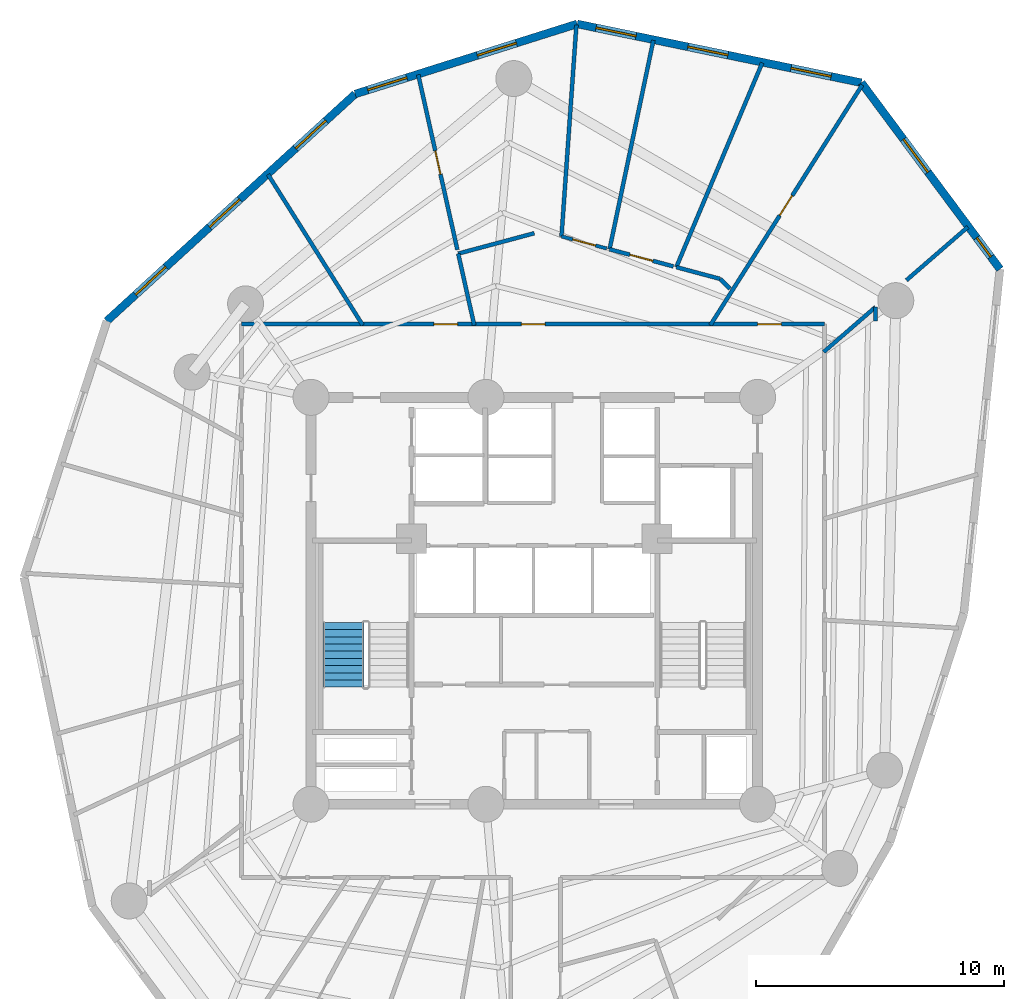
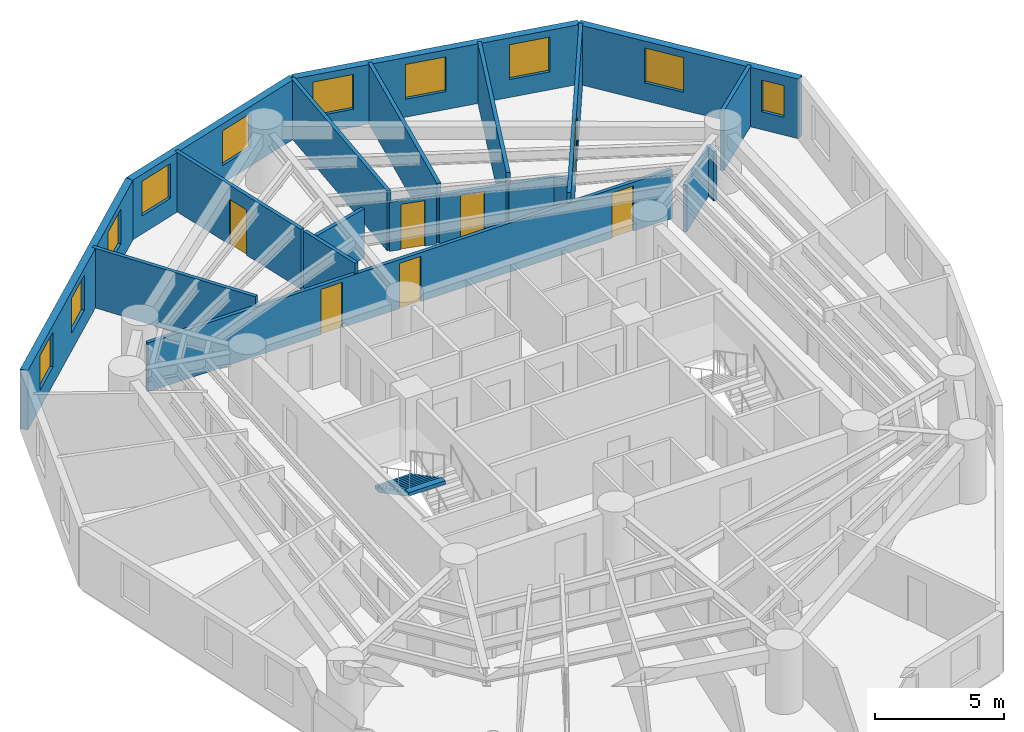
# One storey, part 6 of 8: 20 walls, 10 windows, 7 doors, 1 stair flight, 17 openings, 1 element without a shape of its own.
"""IFC4 building model written with IfcOpenShell, lengths in metres."""

import ifcopenshell
import ifcopenshell.guid

model = None  # the IFC model being written
_history = None  # IfcOwnerHistory: only IFC2X3 demands one
_inside = {}  # id of a spatial element -> (the spatial element, [elements in it])
_under = {}  # id of a project, library or spatial element -> (it, [spatial elements below it])
_declared = {}  # id of a project -> (the project, [libraries it declares])
_typed = {}  # id of a type object -> (the type object, [elements of that type])
_made_of = {}  # id of a material, layer set ... -> (it, [elements and type objects made of it])


def new_model(schema):
    """Start an empty IFC model of exactly this schema.

    Asked for "IFC4X3", IfcOpenShell would pick the latest addendum, in which some entities
    have other attributes; the version numbers below select the first issue.
    IFC2X3 requires an IfcOwnerHistory on every rooted entity: one is made here for all.
    """
    global model, _history
    if schema == "IFC4X3":
        model = ifcopenshell.file(schema_version=(4, 3, 0, 0))
    else:
        model = ifcopenshell.file(schema=schema)
    _inside.clear()
    _under.clear()
    _declared.clear()
    _typed.clear()
    _made_of.clear()
    _history = None
    if model.schema == "IFC2X3":
        org = make("IfcOrganization", Name="unknown")
        user = make(
            "IfcPersonAndOrganization",
            ThePerson=make("IfcPerson", FamilyName="unknown"),
            TheOrganization=org,
        )
        app = make(
            "IfcApplication",
            ApplicationDeveloper=org,
            Version="unknown",
            ApplicationFullName="unknown",
            ApplicationIdentifier="unknown",
        )
        _history = make(
            "IfcOwnerHistory",
            OwningUser=user,
            OwningApplication=app,
            ChangeAction="ADDED",
            CreationDate=0,
        )
    return model


def make(cls, **values):
    """One entity of the class cls with the attributes given. An attribute that is None is left unset."""
    return model.create_entity(
        cls, **{name: value for name, value in values.items() if value is not None}
    )


def rooted(cls, **values):
    """An entity with a GlobalId (a new one), such as an element, a storey or a relation."""
    return make(cls, GlobalId=ifcopenshell.guid.new(), OwnerHistory=_history, **values)


def si_unit(unit_type, name, prefix=None):
    """IfcSIUnit, for example si_unit("LENGTHUNIT", "METRE", prefix="MILLI")."""
    return make("IfcSIUnit", UnitType=unit_type, Prefix=prefix, Name=name)


def assignment(units):
    """IfcUnitAssignment: the units of a project."""
    return None if units is None else make("IfcUnitAssignment", Units=units)


def point(xyz):
    """IfcCartesianPoint."""
    return None if xyz is None else make("IfcCartesianPoint", Coordinates=xyz)


def direction(xyz):
    """IfcDirection."""
    return None if xyz is None else make("IfcDirection", DirectionRatios=xyz)


def frame(location, z_axis=None, x_axis=None):
    """IfcAxis2Placement3D, a coordinate frame: its origin and axes. An axis left out is left unset."""
    return make(
        "IfcAxis2Placement3D",
        Location=point(location),
        Axis=direction(z_axis),
        RefDirection=direction(x_axis),
    )


def frame_2d(location, x_axis=None):
    """IfcAxis2Placement2D, a coordinate frame in the plane: its origin and x axis."""
    return make(
        "IfcAxis2Placement2D", Location=point(location), RefDirection=direction(x_axis)
    )


def origin():
    """The frame at (0, 0, 0) with its axes left unset."""
    return frame((0.0, 0.0, 0.0))


def origin_with_axes():
    """The frame at (0, 0, 0) with the z axis (0, 0, 1) and the x axis (1, 0, 0) written out."""
    return frame((0.0, 0.0, 0.0), z_axis=(0.0, 0.0, 1.0), x_axis=(1.0, 0.0, 0.0))


def place(relative_to, where):
    """IfcLocalPlacement: puts the frame where relative to a parent placement (None: the world)."""
    return make(
        "IfcLocalPlacement", PlacementRelTo=relative_to, RelativePlacement=where
    )


def context(
    kind, dimensions, precision=None, world=None, true_north=None, identifier=None
):
    """IfcGeometricRepresentationContext, for example the 3D "Model" context."""
    return make(
        "IfcGeometricRepresentationContext",
        ContextIdentifier=identifier,
        ContextType=kind,
        CoordinateSpaceDimension=dimensions,
        Precision=precision,
        WorldCoordinateSystem=world,
        TrueNorth=true_north,
    )


def subcontext(parent, identifier, kind, view, scale=None):
    """IfcGeometricRepresentationSubContext, for example "Body" below "Model"."""
    return make(
        "IfcGeometricRepresentationSubContext",
        ContextIdentifier=identifier,
        ContextType=kind,
        ParentContext=parent,
        TargetScale=scale,
        TargetView=view,
    )


def project(units=None, contexts=None):
    """IfcProject with its units and contexts."""
    return rooted(
        "IfcProject",
        Name="project",
        RepresentationContexts=contexts,
        UnitsInContext=assignment(units),
    )


def spatial(cls, under=None, at=None, **own):
    """A site, building, storey or space (cls), placed at a placement, below another one or the project."""
    s = rooted(cls, ObjectPlacement=at, **own)
    if under is not None:
        _under.setdefault(under.id(), (under, []))[1].append(s)
    return s


def polyline(points):
    """IfcPolyline through the points."""
    return make("IfcPolyline", Points=[point(p) for p in points])


def profile(cls, at=None, kind="AREA", **sizes):
    """A parametric profile (cls). Its sizes go by their IFC names, for example OverallWidth=200.0."""
    return make(cls, ProfileType=kind, Position=at, **sizes)


def rectangle(**sizes):
    """IfcRectangleProfileDef."""
    return profile("IfcRectangleProfileDef", **sizes)


def outline(outer, holes=None, kind="AREA"):
    """IfcArbitraryClosedProfileDef: a profile drawn as a closed curve; with holes, ...WithVoids."""
    if holes is None:
        return make("IfcArbitraryClosedProfileDef", ProfileType=kind, OuterCurve=outer)
    return make(
        "IfcArbitraryProfileDefWithVoids",
        ProfileType=kind,
        OuterCurve=outer,
        InnerCurves=holes,
    )


def extrude(swept, where, along, depth):
    """IfcExtrudedAreaSolid: the profile swept, set in the frame where, extruded along a direction by depth."""
    return make(
        "IfcExtrudedAreaSolid",
        SweptArea=swept,
        Position=where,
        ExtrudedDirection=direction(along),
        Depth=depth,
    )


def shape(context_of_items, identifier, shape_type, items):
    """IfcShapeRepresentation: the items that make up one representation, for example the "Body"."""
    return make(
        "IfcShapeRepresentation",
        ContextOfItems=context_of_items,
        RepresentationIdentifier=identifier,
        RepresentationType=shape_type,
        Items=items,
    )


def source(mapping_origin, context_of_items, identifier, shape_type, items):
    """IfcRepresentationMap: a shape defined once, which mapped items show again and again."""
    return make(
        "IfcRepresentationMap",
        MappingOrigin=mapping_origin,
        MappedRepresentation=shape(context_of_items, identifier, shape_type, items),
    )


def transform(
    local_origin,
    x_axis=None,
    y_axis=None,
    z_axis=None,
    scale=None,
    scale2=None,
    scale3=None,
    uniform=True,
):
    """IfcCartesianTransformationOperator3D, or its non-uniform kind. x_axis, y_axis, z_axis: its Axis1, 2, 3."""
    if uniform:
        return make(
            "IfcCartesianTransformationOperator3D",
            Axis1=direction(x_axis),
            Axis2=direction(y_axis),
            LocalOrigin=point(local_origin),
            Scale=scale,
            Axis3=direction(z_axis),
        )
    return make(
        "IfcCartesianTransformationOperator3DnonUniform",
        Axis1=direction(x_axis),
        Axis2=direction(y_axis),
        LocalOrigin=point(local_origin),
        Scale=scale,
        Axis3=direction(z_axis),
        Scale2=scale2,
        Scale3=scale3,
    )


def mapped(mapping_source, mapping_target):
    """IfcMappedItem: shows the shape of a source again, moved by a transform."""
    return make(
        "IfcMappedItem", MappingSource=mapping_source, MappingTarget=mapping_target
    )


def material(Name=None, Category=None):
    """IfcMaterial."""
    return make("IfcMaterial", Name=Name, Category=Category)


def layer(
    of_material, thickness, ventilated=None, Name=None, Category=None, Priority=None
):
    """IfcMaterialLayer: one layer of a wall or slab, of a material (None: an air gap)."""
    return make(
        "IfcMaterialLayer",
        Material=of_material,
        LayerThickness=thickness,
        IsVentilated=ventilated,
        Name=Name,
        Category=Category,
        Priority=Priority,
    )


def layer_set(layers, Name=None):
    """IfcMaterialLayerSet."""
    return make("IfcMaterialLayerSet", MaterialLayers=layers, LayerSetName=Name)


def made_of(thing, what):
    """Note that an element or type object is made of a material, layer set ...; save() writes the relation."""
    if what is not None:
        _made_of.setdefault(what.id(), (what, []))[1].append(thing)
    return thing


def type_object(cls, material=None, **own):
    """A type object (cls), such as IfcWallType, which elements share."""
    return made_of(rooted(cls, **own), material)


def element(
    cls,
    number,
    at=None,
    inside=None,
    cuts=None,
    type_object=None,
    material=None,
    context=None,
    identifier="Body",
    shape_type=None,
    held_by="IfcProductDefinitionShape",
    body=None,
    shapes=None,
    **own,
):
    """One element of the class cls, such as IfcWall. Its Tag is "e" and its number.

    at: its placement. inside: the storey or other place that contains it. cuts: it is an
    opening in that element (IfcRelVoidsElement). A single representation is given by context,
    identifier, shape_type and body (its items); several are given by shapes. held_by: the class
    of the entity that holds the representations. save() writes the other relations.
    """
    e = rooted(cls, Tag="e%d" % number, ObjectPlacement=at, **own)
    if body is not None:
        shapes = [shape(context, identifier, shape_type, body)]
    if shapes is not None:
        e.Representation = make(held_by, Representations=shapes)
    if inside is not None:
        _inside.setdefault(inside.id(), (inside, []))[1].append(e)
    if cuts is not None:
        rooted(
            "IfcRelVoidsElement", RelatingBuildingElement=cuts, RelatedOpeningElement=e
        )
    if type_object is not None:
        _typed.setdefault(type_object.id(), (type_object, []))[1].append(e)
    return made_of(e, material)


def fill(opening, filler):
    """IfcRelFillsElement: the door or window that sits in an opening."""
    return rooted(
        "IfcRelFillsElement",
        RelatingOpeningElement=opening,
        RelatedBuildingElement=filler,
    )


def aggregate(whole, parts):
    """IfcRelAggregates: a whole, such as a stair, and the parts it consists of."""
    return rooted("IfcRelAggregates", RelatingObject=whole, RelatedObjects=parts)


def save(model, path):
    """Write the relations noted so far, then the file.

    IfcRelAggregates (storeys below a building ...), IfcRelContainedInSpatialStructure (elements
    in a storey), IfcRelDefinesByType, IfcRelAssociatesMaterial and IfcRelDeclares: one each for
    every whole, place, type object, material and project.
    """
    for whole, parts in _under.values():
        aggregate(whole, parts)
    for where, things in _inside.values():
        rooted(
            "IfcRelContainedInSpatialStructure",
            RelatedElements=things,
            RelatingStructure=where,
        )
    for kind, things in _typed.values():
        rooted("IfcRelDefinesByType", RelatedObjects=things, RelatingType=kind)
    for what, things in _made_of.values():
        rooted("IfcRelAssociatesMaterial", RelatedObjects=things, RelatingMaterial=what)
    for by, libraries in _declared.values():
        rooted("IfcRelDeclares", RelatingContext=by, RelatedDefinitions=libraries)
    model.write(path)


model = new_model("IFC4")

# Units and contexts
model_context = context("Model", 3, precision=1e-05, world=origin(), true_north=direction((0.0, 1.0)))
body_context = subcontext(model_context, "Body", "Model", "MODEL_VIEW")
ifc_project = project(units=[si_unit("LENGTHUNIT", "METRE"), si_unit("AREAUNIT", "SQUARE_METRE"), si_unit("VOLUMEUNIT", "CUBIC_METRE"), si_unit("PLANEANGLEUNIT", "RADIAN"), si_unit("MASSUNIT", "GRAM", prefix="KILO")], contexts=[model_context])

# Site, building, storey
site_placement = place(None, origin())
site = spatial("IfcSite", under=ifc_project, at=site_placement, CompositionType="ELEMENT")
building_placement = place(site_placement, origin())
building = spatial("IfcBuilding", under=site, at=building_placement, Name="Karkom Vertical University and Central Library", CompositionType="ELEMENT")
storey_placement = place(building_placement, frame((0.0, 0.0, 141.949951171875)))
storey = spatial("IfcBuildingStorey", under=building, at=storey_placement, Name="L40", CompositionType="ELEMENT", Elevation=141.949951171875)

# Wall, openings, windows
ifc_material_1 = material(Name="Brick-faced precast concrete C45/55", Category="masonry")
ifc_layer_1 = layer(ifc_material_1, 0.320068359375)
ifc_layer_set_1 = layer_set([ifc_layer_1], Name="Brick-faced precast concrete C45/55")
wall_type_1 = type_object("IfcWallType", Name="ENV-WL-BRK-320", PredefinedType="SOLIDWALL", material=ifc_layer_set_1)
wall_1_placement = place(storey_placement, frame((47.272216796875, 39.870361328125, 0.0), z_axis=(0.0, 0.0, 1.0), x_axis=(-0.596716111469, 0.802452417476, 0.0)))
wall_1 = element("IfcWall", 1, at=wall_1_placement, inside=storey, type_object=wall_type_1, Name="Level 40 Brick-Faced Precast Facade Wall 09", PredefinedType="SOLIDWALL", context=body_context, shape_type="SweptSolid", body=[
    extrude(rectangle(XDim=9.364013671875, YDim=0.320068359375, at=frame_2d((4.68212890625, 0.0))), origin(), (0.0, 0.0, 1.0), 2.824951171875),
])
opening_1_placement = place(wall_1_placement, frame((0.622314453125, 0.0, 0.85009765625)))
opening_1 = element("IfcOpeningElement", 2, at=opening_1_placement, cuts=wall_1, Name="Opening WN-12", PredefinedType="OPENING", context=body_context, shape_type="SweptSolid", body=[
    extrude(rectangle(XDim=0.949951171875, YDim=1.5, at=frame_2d((0.47509765625, 0.75))), frame((0.0, 0.169921875, 0.0), z_axis=(0.0, -1.0, 0.0), x_axis=(1.0, 0.0, 0.0)), (0.0, 0.0, 1.0), 0.340087890625),
])
opening_2_placement = place(wall_1_placement, frame((4.87158203125, 0.0, 0.85009765625)))
opening_2 = element("IfcOpeningElement", 3, at=opening_2_placement, cuts=wall_1, Name="Opening WN-06", PredefinedType="OPENING", context=body_context, shape_type="SweptSolid", body=[
    extrude(rectangle(XDim=1.64990234375, YDim=1.64990234375, at=frame_2d((0.824951171875, 0.824951171875))), frame((0.0, 0.169921875, 0.0), z_axis=(0.0, -1.0, 0.0), x_axis=(1.0, 0.0, 0.0)), (0.0, 0.0, 1.0), 0.340087890625),
])
ifc_material_2 = material(Name="Aluminium thermal-break frame with solar-control IGU", Category="aluminium")
window_type_1 = type_object("IfcWindowType", Name="ENV-WIN-WN-06", PartitioningType="SINGLE_PANEL", PredefinedType="WINDOW", material=ifc_material_2)
shared_shape_1 = source(origin_with_axes(), body_context, "Body", "SweptSolid", [
    extrude(rectangle(XDim=1.64990234375, YDim=1.64990234375, at=frame_2d((0.824951171875, 0.824951171875))), frame((0.0, 0.030029296875, 0.0), z_axis=(0.0, -1.0, 0.0), x_axis=(1.0, 0.0, 0.0)), (0.0, 0.0, 1.0), 0.06005859375),
])
window_1_placement = place(opening_2_placement, origin())
window_1 = element("IfcWindow", 4, at=window_1_placement, inside=storey, type_object=window_type_1, Name="Level 40 Punched Window 9.2", OverallHeight=1.64990234375, OverallWidth=1.64990234375, PartitioningType="SINGLE_PANEL", PredefinedType="WINDOW", context=body_context, shape_type="MappedRepresentation", body=[
    mapped(shared_shape_1, transform((0.0, 0.0, 0.0), scale=1.0)),
])
fill(opening_2, window_1)
window_type_2 = type_object("IfcWindowType", Name="ENV-WIN-WN-12", PartitioningType="SINGLE_PANEL", PredefinedType="WINDOW", material=ifc_material_2)
shared_shape_2 = source(origin_with_axes(), body_context, "Body", "SweptSolid", [
    extrude(rectangle(XDim=0.949951171875, YDim=1.5, at=frame_2d((0.47509765625, 0.75))), frame((0.0, 0.030029296875, 0.0), z_axis=(0.0, -1.0, 0.0), x_axis=(1.0, 0.0, 0.0)), (0.0, 0.0, 1.0), 0.06005859375),
])
window_2_placement = place(opening_1_placement, origin())
window_2 = element("IfcWindow", 5, at=window_2_placement, inside=storey, type_object=window_type_2, Name="Level 40 Punched Window 9.1", OverallHeight=1.5, OverallWidth=0.949951171875, PartitioningType="SINGLE_PANEL", PredefinedType="WINDOW", context=body_context, shape_type="MappedRepresentation", body=[
    mapped(shared_shape_2, transform((0.0, 0.0, 0.0), scale=1.0)),
])
fill(opening_1, window_2)

wall_2_placement = place(storey_placement, frame((41.6845703125, 47.384521484375, 0.0), z_axis=(0.0, 0.0, 1.0), x_axis=(-0.979267413352, 0.202571797512, 0.0)))
wall_2 = element("IfcWall", 6, at=wall_2_placement, inside=storey, type_object=wall_type_1, Name="Level 40 Brick-Faced Precast Facade Wall 10", PredefinedType="SOLIDWALL", context=body_context, shape_type="SweptSolid", body=[
    extrude(rectangle(XDim=11.701416015625, YDim=0.320068359375, at=frame_2d((5.8505859375, 0.0))), origin(), (0.0, 0.0, 1.0), 2.824951171875),
])
opening_3_placement = place(wall_2_placement, frame((1.24658203125, 0.0, 0.85009765625)))
opening_3 = element("IfcOpeningElement", 7, at=opening_3_placement, cuts=wall_2, Name="Opening WN-06", PredefinedType="OPENING", context=body_context, shape_type="SweptSolid", body=[
    extrude(rectangle(XDim=1.64990234375, YDim=1.64990234375, at=frame_2d((0.824951171875, 0.824951171875))), frame((0.0, 0.169921875, 0.0), z_axis=(0.0, -1.0, 0.0), x_axis=(1.0, 0.0, 0.0)), (0.0, 0.0, 1.0), 0.340087890625),
])
opening_4_placement = place(wall_2_placement, frame((5.49560546875, 0.0, 0.85009765625)))
opening_4 = element("IfcOpeningElement", 8, at=opening_4_placement, cuts=wall_2, Name="Opening WN-06", PredefinedType="OPENING", context=body_context, shape_type="SweptSolid", body=[
    extrude(rectangle(XDim=1.64990234375, YDim=1.64990234375, at=frame_2d((0.824951171875, 0.824951171875))), frame((0.0, 0.169921875, 0.0), z_axis=(0.0, -1.0, 0.0), x_axis=(1.0, 0.0, 0.0)), (0.0, 0.0, 1.0), 0.340087890625),
])
opening_5_placement = place(wall_2_placement, frame((9.274658203125, 0.0, 0.85009765625)))
opening_5 = element("IfcOpeningElement", 9, at=opening_5_placement, cuts=wall_2, Name="Opening WN-06", PredefinedType="OPENING", context=body_context, shape_type="SweptSolid", body=[
    extrude(rectangle(XDim=1.64990234375, YDim=1.64990234375, at=frame_2d((0.824951171875, 0.824951171875))), frame((0.0, 0.169921875, 0.0), z_axis=(0.0, -1.0, 0.0), x_axis=(1.0, 0.0, 0.0)), (0.0, 0.0, 1.0), 0.340087890625),
])
window_3_placement = place(opening_3_placement, origin())
window_3 = element("IfcWindow", 10, at=window_3_placement, inside=storey, type_object=window_type_1, Name="Level 40 Punched Window 10.1", OverallHeight=1.64990234375, OverallWidth=1.64990234375, PartitioningType="SINGLE_PANEL", PredefinedType="WINDOW", context=body_context, shape_type="MappedRepresentation", body=[
    mapped(shared_shape_1, transform((0.0, 0.0, 0.0), scale=1.0)),
])
fill(opening_3, window_3)
window_4_placement = place(opening_4_placement, origin())
window_4 = element("IfcWindow", 11, at=window_4_placement, inside=storey, type_object=window_type_1, Name="Level 40 Punched Window 10.2", OverallHeight=1.64990234375, OverallWidth=1.64990234375, PartitioningType="SINGLE_PANEL", PredefinedType="WINDOW", context=body_context, shape_type="MappedRepresentation", body=[
    mapped(shared_shape_1, transform((0.0, 0.0, 0.0), scale=1.0)),
])
fill(opening_4, window_4)
window_5_placement = place(opening_5_placement, origin())
window_5 = element("IfcWindow", 12, at=window_5_placement, inside=storey, type_object=window_type_1, Name="Level 40 Punched Window 10.3", OverallHeight=1.64990234375, OverallWidth=1.64990234375, PartitioningType="SINGLE_PANEL", PredefinedType="WINDOW", context=body_context, shape_type="MappedRepresentation", body=[
    mapped(shared_shape_1, transform((0.0, 0.0, 0.0), scale=1.0)),
])
fill(opening_5, window_5)

wall_3_placement = place(storey_placement, frame((30.225830078125, 49.7548828125, 0.0), z_axis=(0.0, 0.0, 1.0), x_axis=(-0.953594853598, -0.301092768414, 0.0)))
wall_3 = element("IfcWall", 13, at=wall_3_placement, inside=storey, type_object=wall_type_1, Name="Level 40 Brick-Faced Precast Facade Wall 11", PredefinedType="SOLIDWALL", context=body_context, shape_type="SweptSolid", body=[
    extrude(rectangle(XDim=9.384033203125, YDim=0.320068359375, at=frame_2d((4.69189453125, 0.0))), origin(), (0.0, 0.0, 1.0), 2.824951171875),
])
opening_6_placement = place(wall_3_placement, frame((2.568603515625, 0.0, 0.85009765625)))
opening_6 = element("IfcOpeningElement", 14, at=opening_6_placement, cuts=wall_3, Name="Opening WN-06", PredefinedType="OPENING", context=body_context, shape_type="SweptSolid", body=[
    extrude(rectangle(XDim=1.64990234375, YDim=1.64990234375, at=frame_2d((0.824951171875, 0.824951171875))), frame((0.0, 0.169921875, 0.0), z_axis=(0.0, -1.0, 0.0), x_axis=(1.0, 0.0, 0.0)), (0.0, 0.0, 1.0), 0.340087890625),
])
opening_7_placement = place(wall_3_placement, frame((7.200439453125, 0.0, 0.85009765625)))
opening_7 = element("IfcOpeningElement", 15, at=opening_7_placement, cuts=wall_3, Name="Opening WN-06", PredefinedType="OPENING", context=body_context, shape_type="SweptSolid", body=[
    extrude(rectangle(XDim=1.64990234375, YDim=1.64990234375, at=frame_2d((0.824951171875, 0.824951171875))), frame((0.0, 0.169921875, 0.0), z_axis=(0.0, -1.0, 0.0), x_axis=(1.0, 0.0, 0.0)), (0.0, 0.0, 1.0), 0.340087890625),
])
window_6_placement = place(opening_6_placement, origin())
window_6 = element("IfcWindow", 16, at=window_6_placement, inside=storey, type_object=window_type_1, Name="Level 40 Punched Window 11.1", OverallHeight=1.64990234375, OverallWidth=1.64990234375, PartitioningType="SINGLE_PANEL", PredefinedType="WINDOW", context=body_context, shape_type="MappedRepresentation", body=[
    mapped(shared_shape_1, transform((0.0, 0.0, 0.0), scale=1.0)),
])
fill(opening_6, window_6)
window_7_placement = place(opening_7_placement, origin())
window_7 = element("IfcWindow", 17, at=window_7_placement, inside=storey, type_object=window_type_1, Name="Level 40 Punched Window 11.2", OverallHeight=1.64990234375, OverallWidth=1.64990234375, PartitioningType="SINGLE_PANEL", PredefinedType="WINDOW", context=body_context, shape_type="MappedRepresentation", body=[
    mapped(shared_shape_1, transform((0.0, 0.0, 0.0), scale=1.0)),
])
fill(opening_7, window_7)

wall_4_placement = place(storey_placement, frame((21.27734375, 46.929443359375, 0.0), z_axis=(0.0, 0.0, 1.0), x_axis=(-0.7380815776, -0.674711482641, 0.0)))
wall_4 = element("IfcWall", 18, at=wall_4_placement, inside=storey, type_object=wall_type_1, Name="Level 40 Brick-Faced Precast Facade Wall 12", PredefinedType="SOLIDWALL", context=body_context, shape_type="SweptSolid", body=[
    extrude(rectangle(XDim=13.561279296875, YDim=0.320068359375, at=frame_2d((6.78076171875, 0.0))), origin(), (0.0, 0.0, 1.0), 2.824951171875),
])
opening_8_placement = place(wall_4_placement, frame((1.598388671875, 0.0, 0.85009765625)))
opening_8 = element("IfcOpeningElement", 19, at=opening_8_placement, cuts=wall_4, Name="Opening WN-06", PredefinedType="OPENING", context=body_context, shape_type="SweptSolid", body=[
    extrude(rectangle(XDim=1.64990234375, YDim=1.64990234375, at=frame_2d((0.824951171875, 0.824951171875))), frame((0.0, 0.169921875, 0.0), z_axis=(0.0, -1.0, 0.0), x_axis=(1.0, 0.0, 0.0)), (0.0, 0.0, 1.0), 0.340087890625),
])
opening_9_placement = place(wall_4_placement, frame((6.30029296875, 0.0, 0.85009765625)))
opening_9 = element("IfcOpeningElement", 20, at=opening_9_placement, cuts=wall_4, Name="Opening WN-06", PredefinedType="OPENING", context=body_context, shape_type="SweptSolid", body=[
    extrude(rectangle(XDim=1.64990234375, YDim=1.64990234375, at=frame_2d((0.824951171875, 0.824951171875))), frame((0.0, 0.169921875, 0.0), z_axis=(0.0, -1.0, 0.0), x_axis=(1.0, 0.0, 0.0)), (0.0, 0.0, 1.0), 0.340087890625),
])
opening_10_placement = place(wall_4_placement, frame((10.33740234375, 0.0, 0.85009765625)))
opening_10 = element("IfcOpeningElement", 21, at=opening_10_placement, cuts=wall_4, Name="Opening WN-06", PredefinedType="OPENING", context=body_context, shape_type="SweptSolid", body=[
    extrude(rectangle(XDim=1.64990234375, YDim=1.64990234375, at=frame_2d((0.824951171875, 0.824951171875))), frame((0.0, 0.169921875, 0.0), z_axis=(0.0, -1.0, 0.0), x_axis=(1.0, 0.0, 0.0)), (0.0, 0.0, 1.0), 0.340087890625),
])
window_8_placement = place(opening_8_placement, origin())
window_8 = element("IfcWindow", 22, at=window_8_placement, inside=storey, type_object=window_type_1, Name="Level 40 Punched Window 12.1", OverallHeight=1.64990234375, OverallWidth=1.64990234375, PartitioningType="SINGLE_PANEL", PredefinedType="WINDOW", context=body_context, shape_type="MappedRepresentation", body=[
    mapped(shared_shape_1, transform((0.0, 0.0, 0.0), scale=1.0)),
])
fill(opening_8, window_8)
window_9_placement = place(opening_9_placement, origin())
window_9 = element("IfcWindow", 23, at=window_9_placement, inside=storey, type_object=window_type_1, Name="Level 40 Punched Window 12.2", OverallHeight=1.64990234375, OverallWidth=1.64990234375, PartitioningType="SINGLE_PANEL", PredefinedType="WINDOW", context=body_context, shape_type="MappedRepresentation", body=[
    mapped(shared_shape_1, transform((0.0, 0.0, 0.0), scale=1.0)),
])
fill(opening_9, window_9)
window_10_placement = place(opening_10_placement, origin())
window_10 = element("IfcWindow", 24, at=window_10_placement, inside=storey, type_object=window_type_1, Name="Level 40 Punched Window 12.3", OverallHeight=1.64990234375, OverallWidth=1.64990234375, PartitioningType="SINGLE_PANEL", PredefinedType="WINDOW", context=body_context, shape_type="MappedRepresentation", body=[
    mapped(shared_shape_1, transform((0.0, 0.0, 0.0), scale=1.0)),
])
fill(opening_10, window_10)

# Wall, openings, doors
ifc_material_3 = material(Name="Insulated metal-stud drywall 160mm", Category="gypsum")
ifc_layer_2 = layer(ifc_material_3, 0.159912109375)
ifc_layer_set_2 = layer_set([ifc_layer_2], Name="Insulated metal-stud drywall 160mm")
wall_type_2 = type_object("IfcWallType", Name="INT-WL-COR-160", PredefinedType="PARTITIONING", material=ifc_layer_set_2)
wall_5_placement = place(storey_placement, frame((16.699951171875, 37.64990234375, 0.0), z_axis=(0.0, 0.0, 1.0), x_axis=(1.0, 0.0, 0.0)))
wall_5 = element("IfcWall", 25, at=wall_5_placement, inside=storey, type_object=wall_type_2, Name="Level 40 Interior Partition Wall L40-CORW-CW-003", PredefinedType="PARTITIONING", context=body_context, shape_type="SweptSolid", body=[
    extrude(rectangle(XDim=23.5, YDim=0.159912109375, at=frame_2d((11.75, 0.0))), origin(), (0.0, 0.0, 1.0), 2.324951171875),
])
opening_11_placement = place(wall_5_placement, frame((20.80029296875, 0.0, 0.0)))
opening_11 = element("IfcOpeningElement", 26, at=opening_11_placement, cuts=wall_5, Name="Opening FD-RM2", PredefinedType="OPENING", context=body_context, shape_type="SweptSolid", body=[
    extrude(rectangle(XDim=0.9599609375, YDim=2.14990234375, at=frame_2d((0.47998046875, 1.074951171875))), frame((0.0, 0.08984375, 0.0), z_axis=(0.0, -1.0, 0.0), x_axis=(1.0, 0.0, 0.0)), (0.0, 0.0, 1.0), 0.179931640625),
])
opening_12_placement = place(wall_5_placement, frame((11.27490234375, 0.0, 0.0)))
opening_12 = element("IfcOpeningElement", 27, at=opening_12_placement, cuts=wall_5, Name="Opening FD-RM2", PredefinedType="OPENING", context=body_context, shape_type="SweptSolid", body=[
    extrude(rectangle(XDim=0.9599609375, YDim=2.14990234375, at=frame_2d((0.47998046875, 1.074951171875))), frame((0.0, 0.08984375, 0.0), z_axis=(0.0, -1.0, 0.0), x_axis=(1.0, 0.0, 0.0)), (0.0, 0.0, 1.0), 0.179931640625),
])
opening_13_placement = place(wall_5_placement, frame((7.75, 0.0, 0.0)))
opening_13 = element("IfcOpeningElement", 28, at=opening_13_placement, cuts=wall_5, Name="Opening FD-RM2", PredefinedType="OPENING", context=body_context, shape_type="SweptSolid", body=[
    extrude(rectangle(XDim=0.9599609375, YDim=2.14990234375, at=frame_2d((0.47998046875, 1.074951171875))), frame((0.0, 0.08984375, 0.0), z_axis=(0.0, -1.0, 0.0), x_axis=(1.0, 0.0, 0.0)), (0.0, 0.0, 1.0), 0.179931640625),
])
ifc_material_4 = material(Name="Fire-rated oak veneer door", Category="wood")
door_type_1 = type_object("IfcDoorType", Name="INT-DR-FRM2", OperationType="NOTDEFINED", PredefinedType="DOOR", material=ifc_material_4)
shared_shape_3 = source(origin_with_axes(), body_context, "Body", "SweptSolid", [
    extrude(rectangle(XDim=0.9599609375, YDim=2.14990234375, at=frame_2d((0.47998046875, 1.074951171875))), frame((0.0, 0.02490234375, 0.0), z_axis=(0.0, -1.0, 0.0), x_axis=(1.0, 0.0, 0.0)), (0.0, 0.0, 1.0), 0.050048828125),
])
door_1_placement = place(opening_11_placement, origin())
door_1 = element("IfcDoor", 29, at=door_1_placement, inside=storey, type_object=door_type_1, Name="Level 40 Room Entry Door 140", OperationType="SINGLE_SWING_RIGHT", OverallHeight=2.14990234375, OverallWidth=0.9599609375, PredefinedType="DOOR", context=body_context, shape_type="MappedRepresentation", body=[
    mapped(shared_shape_3, transform((0.0, 0.0, 0.0), scale=1.0)),
])
fill(opening_11, door_1)
door_2_placement = place(opening_12_placement, origin())
door_2 = element("IfcDoor", 30, at=door_2_placement, inside=storey, type_object=door_type_1, Name="Level 40 Room Entry Door 170", OperationType="SINGLE_SWING_LEFT", OverallHeight=2.14990234375, OverallWidth=0.9599609375, PredefinedType="DOOR", context=body_context, shape_type="MappedRepresentation", body=[
    mapped(shared_shape_3, transform((0.0, 0.0, 0.0), scale=1.0)),
])
fill(opening_12, door_2)
door_3_placement = place(opening_13_placement, origin())
door_3 = element("IfcDoor", 31, at=door_3_placement, inside=storey, type_object=door_type_1, Name="Level 40 Room Entry Door 200", OperationType="SINGLE_SWING_RIGHT", OverallHeight=2.14990234375, OverallWidth=0.9599609375, PredefinedType="DOOR", context=body_context, shape_type="MappedRepresentation", body=[
    mapped(shared_shape_3, transform((0.0, 0.0, 0.0), scale=1.0)),
])
fill(opening_13, door_3)

# Wall, opening, door
wall_6_placement = place(storey_placement, frame((35.595703125, 37.61181640625, 0.0), z_axis=(0.0, 0.0, 1.0), x_axis=(0.53436425584, 0.845254306159, 0.0)))
wall_6 = element("IfcWall", 32, at=wall_6_placement, inside=storey, type_object=wall_type_2, Name="Level 40 Interior Partition Wall L40-PW-019", PredefinedType="PARTITIONING", context=body_context, shape_type="SweptSolid", body=[
    extrude(rectangle(XDim=11.45361328125, YDim=0.159912109375, at=frame_2d((5.726806640625, 0.0))), origin(), (0.0, 0.0, 1.0), 2.824951171875),
])
opening_14_placement = place(wall_6_placement, frame((5.226806640625, 0.0, 0.0)))
opening_14 = element("IfcOpeningElement", 33, at=opening_14_placement, cuts=wall_6, Name="Opening D-RM1", PredefinedType="OPENING", context=body_context, shape_type="SweptSolid", body=[
    extrude(rectangle(XDim=0.949951171875, YDim=2.14990234375, at=frame_2d((0.47509765625, 1.074951171875))), frame((0.0, 0.08984375, 0.0), z_axis=(0.0, -1.0, 0.0), x_axis=(1.0, 0.0, 0.0)), (0.0, 0.0, 1.0), 0.179931640625),
])
ifc_material_5 = material(Name="Solid-core oak veneer door", Category="wood")
door_type_2 = type_object("IfcDoorType", Name="INT-DR-RM1", OperationType="NOTDEFINED", PredefinedType="DOOR", material=ifc_material_5)
shared_shape_4 = source(origin_with_axes(), body_context, "Body", "SweptSolid", [
    extrude(rectangle(XDim=0.949951171875, YDim=2.14990234375, at=frame_2d((0.47509765625, 1.074951171875))), frame((0.0, 0.02490234375, 0.0), z_axis=(0.0, -1.0, 0.0), x_axis=(1.0, 0.0, 0.0)), (0.0, 0.0, 1.0), 0.050048828125),
])
door_4_placement = place(opening_14_placement, origin())
door_4 = element("IfcDoor", 34, at=door_4_placement, inside=storey, type_object=door_type_2, Name="Level 40 Room Entry Door 150", OperationType="SINGLE_SWING_LEFT", OverallHeight=2.14990234375, OverallWidth=0.949951171875, PredefinedType="DOOR", context=body_context, shape_type="MappedRepresentation", body=[
    mapped(shared_shape_4, transform((0.0, 0.0, 0.0), scale=1.0)),
])
fill(opening_14, door_4)

# Walls
wall_7_placement = place(storey_placement, frame((34.222900390625, 39.949462890625, 0.0), z_axis=(0.0, 0.0, 1.0), x_axis=(0.387756457324, 0.921761861765, 0.0)))
element("IfcWall", 35, at=wall_7_placement, inside=storey, type_object=wall_type_2, Name="Level 40 Interior Partition Wall L40-PW-020", PredefinedType="PARTITIONING", context=body_context, shape_type="SweptSolid", body=[
    extrude(rectangle(XDim=8.934326171875, YDim=0.159912109375, at=frame_2d((4.46728515625, 0.0))), origin(), (0.0, 0.0, 1.0), 2.824951171875),
])
wall_8_placement = place(storey_placement, frame((31.53271484375, 40.670166015625, 0.0), z_axis=(0.0, 0.0, 1.0), x_axis=(0.205255601094, 0.97870840306, 0.0)))
element("IfcWall", 36, at=wall_8_placement, inside=storey, type_object=wall_type_2, Name="Level 40 Interior Partition Wall L40-PW-024", PredefinedType="PARTITIONING", context=body_context, shape_type="SweptSolid", body=[
    extrude(rectangle(XDim=8.60693359375, YDim=0.159912109375, at=frame_2d((4.303466796875, 0.0))), origin(), (0.0, 0.0, 1.0), 2.824951171875),
])
wall_9_placement = place(storey_placement, frame((29.595947265625, 41.189208984375, 0.0), z_axis=(0.0, 0.0, 1.0), x_axis=(0.070353843658, 0.997522098343, 0.0)))
element("IfcWall", 37, at=wall_9_placement, inside=storey, type_object=wall_type_2, Name="Level 40 Interior Partition Wall L40-PW-027", PredefinedType="PARTITIONING", context=body_context, shape_type="SweptSolid", body=[
    extrude(rectangle(XDim=8.547119140625, YDim=0.159912109375, at=frame_2d((4.2734375, 0.0))), origin(), (0.0, 0.0, 1.0), 2.824951171875),
])

# Wall, opening, door
wall_10_placement = place(storey_placement, frame((25.3984375, 40.65185546875, 0.0), z_axis=(0.0, 0.0, 1.0), x_axis=(-0.218149748092, 0.975915307497, 0.0)))
wall_10 = element("IfcWall", 38, at=wall_10_placement, inside=storey, type_object=wall_type_2, Name="Level 40 Interior Partition Wall L40-PW-028", PredefinedType="PARTITIONING", context=body_context, shape_type="SweptSolid", body=[
    extrude(rectangle(XDim=7.228515625, YDim=0.159912109375, at=frame_2d((3.6142578125, 0.0))), origin(), (0.0, 0.0, 1.0), 2.824951171875),
])
opening_15_placement = place(wall_10_placement, frame((3.121826171875, 0.0, 0.0)))
opening_15 = element("IfcOpeningElement", 39, at=opening_15_placement, cuts=wall_10, Name="Opening FD-RM2", PredefinedType="OPENING", context=body_context, shape_type="SweptSolid", body=[
    extrude(rectangle(XDim=0.9599609375, YDim=2.14990234375, at=frame_2d((0.47998046875, 1.074951171875))), frame((0.0, 0.08984375, 0.0), z_axis=(0.0, -1.0, 0.0), x_axis=(1.0, 0.0, 0.0)), (0.0, 0.0, 1.0), 0.179931640625),
])
door_5_placement = place(opening_15_placement, origin())
door_5 = element("IfcDoor", 40, at=door_5_placement, inside=storey, type_object=door_type_1, Name="Level 40 Room Entry Door 190", OperationType="SINGLE_SWING_RIGHT", OverallHeight=2.14990234375, OverallWidth=0.9599609375, PredefinedType="DOOR", context=body_context, shape_type="MappedRepresentation", body=[
    mapped(shared_shape_3, transform((0.0, 0.0, 0.0), scale=1.0)),
])
fill(opening_15, door_5)

# Walls
wall_11_placement = place(storey_placement, frame((21.584716796875, 37.61181640625, 0.0), z_axis=(0.0, 0.0, 1.0), x_axis=(-0.532276089575, 0.84657082661, 0.0)))
element("IfcWall", 41, at=wall_11_placement, inside=storey, type_object=wall_type_2, Name="Level 40 Interior Partition Wall L40-PW-029", PredefinedType="PARTITIONING", context=body_context, shape_type="SweptSolid", body=[
    extrude(rectangle(XDim=7.173583984375, YDim=0.159912109375, at=frame_2d((3.5869140625, 0.0))), origin(), (0.0, 0.0, 1.0), 2.824951171875),
])
wall_12_placement = place(storey_placement, frame((43.49609375, 39.419921875, 0.0), z_axis=(0.0, 0.0, 1.0), x_axis=(0.755622829895, 0.655006976254, 0.0)))
element("IfcWall", 42, at=wall_12_placement, inside=storey, type_object=wall_type_2, Name="Level 40 Interior Partition Wall L40-PW-018", PredefinedType="PARTITIONING", context=body_context, shape_type="SweptSolid", body=[
    extrude(rectangle(XDim=3.282958984375, YDim=0.159912109375, at=frame_2d((1.6416015625, 0.0))), origin(), (0.0, 0.0, 1.0), 2.824951171875),
])
wall_13_placement = place(storey_placement, frame((25.433349609375, 40.495361328125, 0.0), z_axis=(0.0, 0.0, 1.0), x_axis=(0.965920247207, 0.258839865624, 0.0)))
element("IfcWall", 43, at=wall_13_placement, inside=storey, type_object=wall_type_2, Name="Level 40 Interior Partition Wall L40-PW-025", PredefinedType="PARTITIONING", context=body_context, shape_type="SweptSolid", body=[
    extrude(rectangle(XDim=3.1748046875, YDim=0.159912109375, at=frame_2d((1.58740234375, 0.0))), origin(), (0.0, 0.0, 1.0), 2.324951171875),
])
wall_14_placement = place(storey_placement, frame((26.0791015625, 37.606201171875, 0.0), z_axis=(0.0, 0.0, 1.0), x_axis=(-0.218126558905, 0.975920490768, 0.0)))
element("IfcWall", 44, at=wall_14_placement, inside=storey, type_object=wall_type_2, Name="Level 40 Interior Partition Wall L40-PW-026", PredefinedType="PARTITIONING", context=body_context, shape_type="SweptSolid", body=[
    extrude(rectangle(XDim=2.96044921875, YDim=0.159912109375, at=frame_2d((1.480224609375, 0.0))), origin(), (0.0, 0.0, 1.0), 2.824951171875),
])
wall_15_placement = place(storey_placement, frame((40.166015625, 36.533203125, 0.0), z_axis=(0.0, 0.0, 1.0), x_axis=(0.755595613728, 0.655038371788, 0.0)))
element("IfcWall", 45, at=wall_15_placement, inside=storey, type_object=wall_type_2, Name="Level 40 Interior Partition Wall L40-PW-016", PredefinedType="PARTITIONING", context=body_context, shape_type="SweptSolid", body=[
    extrude(rectangle(XDim=2.758056640625, YDim=0.159912109375, at=frame_2d((1.37890625, 0.0))), origin(), (0.0, 0.0, 1.0), 2.22509765625),
])

# Wall, opening, door
wall_16_placement = place(storey_placement, frame((34.105712890625, 39.980712890625, 0.0), z_axis=(0.0, 0.0, 1.0), x_axis=(-0.965923913915, 0.258826182076, 0.0)))
wall_16 = element("IfcWall", 46, at=wall_16_placement, inside=storey, type_object=wall_type_2, Name="Level 40 Interior Partition Wall L40-PW-023", PredefinedType="PARTITIONING", context=body_context, shape_type="SweptSolid", body=[
    extrude(rectangle(XDim=2.663818359375, YDim=0.159912109375, at=frame_2d((1.33203125, 0.0))), origin(), (0.0, 0.0, 1.0), 2.324951171875),
])
opening_16_placement = place(wall_16_placement, frame((0.85693359375, 0.0, 0.0)))
opening_16 = element("IfcOpeningElement", 47, at=opening_16_placement, cuts=wall_16, Name="Opening FD-RM2", PredefinedType="OPENING", context=body_context, shape_type="SweptSolid", body=[
    extrude(rectangle(XDim=0.9599609375, YDim=2.14990234375, at=frame_2d((0.47998046875, 1.074951171875))), frame((0.0, 0.08984375, 0.0), z_axis=(0.0, -1.0, 0.0), x_axis=(1.0, 0.0, 0.0)), (0.0, 0.0, 1.0), 0.179931640625),
])
door_6_placement = place(opening_16_placement, origin())
door_6 = element("IfcDoor", 48, at=door_6_placement, inside=storey, type_object=door_type_1, Name="Level 40 Room Entry Door 160", OperationType="SINGLE_SWING_RIGHT", OverallHeight=2.14990234375, OverallWidth=0.9599609375, PredefinedType="DOOR", context=body_context, shape_type="MappedRepresentation", body=[
    mapped(shared_shape_3, transform((0.0, 0.0, 0.0), scale=1.0)),
])
fill(opening_16, door_6)

# Walls
wall_17_placement = place(storey_placement, frame((35.991455078125, 39.4755859375, 0.0), z_axis=(0.0, 0.0, 1.0), x_axis=(-0.965926624666, 0.258816065499, 0.0)))
element("IfcWall", 49, at=wall_17_placement, inside=storey, type_object=wall_type_2, Name="Level 40 Interior Partition Wall L40-PW-022", PredefinedType="PARTITIONING", context=body_context, shape_type="SweptSolid", body=[
    extrude(rectangle(XDim=1.8310546875, YDim=0.159912109375, at=frame_2d((0.91552734375, 0.0))), origin(), (0.0, 0.0, 1.0), 2.324951171875),
])
wall_18_placement = place(storey_placement, frame((42.25, 38.33984375, 0.0), z_axis=(0.0, 0.0, 1.0), x_axis=(0.0, -1.0, 0.0)))
element("IfcWall", 50, at=wall_18_placement, inside=storey, type_object=wall_type_2, Name="Level 40 Interior Partition Wall L40-PW-017", PredefinedType="PARTITIONING", context=body_context, shape_type="SweptSolid", body=[
    extrude(rectangle(XDim=0.559814453125, YDim=0.159912109375, at=frame_2d((0.27978515625, 0.0))), origin(), (0.0, 0.0, 1.0), 2.324951171875),
])
wall_19_placement = place(storey_placement, frame((36.3837890625, 39.0830078125, 0.0), z_axis=(0.0, 0.0, 1.0), x_axis=(-0.706886807091, 0.707326686871, 0.0)))
element("IfcWall", 51, at=wall_19_placement, inside=storey, type_object=wall_type_2, Name="Level 40 Interior Partition Wall L40-PW-021", PredefinedType="PARTITIONING", context=body_context, shape_type="SweptSolid", body=[
    extrude(rectangle(XDim=0.554931640625, YDim=0.159912109375, at=frame_2d((0.27734375, 0.0))), origin(), (0.0, 0.0, 1.0), 2.324951171875),
])

# Wall, opening, door
ifc_material_6 = material(Name="Metal-stud gypsum partition 140mm", Category="gypsum")
ifc_layer_3 = layer(ifc_material_6, 0.139892578125)
ifc_layer_set_3 = layer_set([ifc_layer_3], Name="Metal-stud gypsum partition 140mm")
wall_type_3 = type_object("IfcWallType", Name="INT-WL-SUB-140", PredefinedType="PARTITIONING", material=ifc_layer_set_3)
wall_20_placement = place(storey_placement, frame((31.416748046875, 40.701416015625, 0.0), z_axis=(0.0, 0.0, 1.0), x_axis=(-0.965937646204, 0.258774928549, 0.0)))
wall_20 = element("IfcWall", 52, at=wall_20_placement, inside=storey, type_object=wall_type_3, Name="Level 40 Interior Partition Wall L40-CWALL-180", PredefinedType="PARTITIONING", context=body_context, shape_type="SweptSolid", body=[
    extrude(rectangle(XDim=1.885009765625, YDim=0.139892578125, at=frame_2d((0.9423828125, 0.0))), origin(), (0.0, 0.0, 1.0), 2.324951171875),
])
opening_17_placement = place(wall_20_placement, frame((0.467529296875, 0.0, 0.0)))
opening_17 = element("IfcOpeningElement", 53, at=opening_17_placement, cuts=wall_20, Name="Opening D-RM1", PredefinedType="OPENING", context=body_context, shape_type="SweptSolid", body=[
    extrude(rectangle(XDim=0.949951171875, YDim=2.14990234375, at=frame_2d((0.47509765625, 1.074951171875))), frame((0.0, 0.080078125, 0.0), z_axis=(0.0, -1.0, 0.0), x_axis=(1.0, 0.0, 0.0)), (0.0, 0.0, 1.0), 0.159912109375),
])
door_7_placement = place(opening_17_placement, origin())
door_7 = element("IfcDoor", 54, at=door_7_placement, inside=storey, type_object=door_type_2, Name="Level 40 Room Entry Door 180", OperationType="SINGLE_SWING_LEFT", OverallHeight=2.14990234375, OverallWidth=0.949951171875, PredefinedType="DOOR", context=body_context, shape_type="MappedRepresentation", body=[
    mapped(shared_shape_4, transform((0.0, 0.0, 0.0), scale=1.0)),
])
fill(opening_17, door_7)

# Stair, stair flight
ifc_material_7 = material(Name="Concrete C45/55", Category="concrete")
stair_type = type_object("IfcStairType", Name="INT-STR-ST-MAIN", PredefinedType="HALF_TURN_STAIR", material=ifc_material_7)
stair_placement = place(storey_placement, origin())
stair = element("IfcStair", 55, at=stair_placement, inside=storey, type_object=stair_type, Name="Level 40 Tower Protected Exit Stair ST-1", PredefinedType="HALF_TURN_STAIR")
stair_flight_type = type_object("IfcStairFlightType", Name="INT-SFL-ST-MAIN", PredefinedType="STRAIGHT", material=ifc_material_7)
stair_flight_placement = place(storey_placement, frame((20.804931640625, 25.6298828125, 1.525146484375), z_axis=(0.0, 0.0, 1.0), x_axis=(0.0, -1.0, 0.0)))
stair_flight = element("IfcStairFlight", 56, at=stair_flight_placement, type_object=stair_flight_type, Name="ST-1 flight 2", NumberOfRisers=10, NumberOfTreads=9, PredefinedType="STRAIGHT", RiserHeight=0.1525, TreadLength=0.29, context=body_context, shape_type="SweptSolid", body=[
    extrude(outline(polyline([(0.0, 0.0), (0.0, 0.152587890625), (0.2900390625, 0.152587890625), (0.2900390625, 0.304931640625), (0.580078125, 0.304931640625), (0.580078125, 0.45751953125), (0.8701171875, 0.45751953125), (0.8701171875, 0.610107421875), (1.159912109375, 0.610107421875), (1.159912109375, 0.762451171875), (1.449951171875, 0.762451171875), (1.449951171875, 0.9150390625), (1.739990234375, 0.9150390625), (1.739990234375, 1.0673828125), (2.030029296875, 1.0673828125), (2.030029296875, 1.219970703125), (2.320068359375, 1.219970703125), (2.320068359375, 1.37255859375), (2.610107421875, 1.37255859375), (2.610107421875, 1.52490234375), (2.610107421875, 1.203125), (0.322021484375, 0.0), (0.0, 0.0)])), frame((0.0, 0.824951171875, 0.0), z_axis=(0.0, -1.0, 0.0), x_axis=(1.0, 0.0, 0.0)), (0.0, 0.0, 1.0), 1.64990234375),
])
aggregate(stair, [stair_flight])

save(model, "model.ifc")
